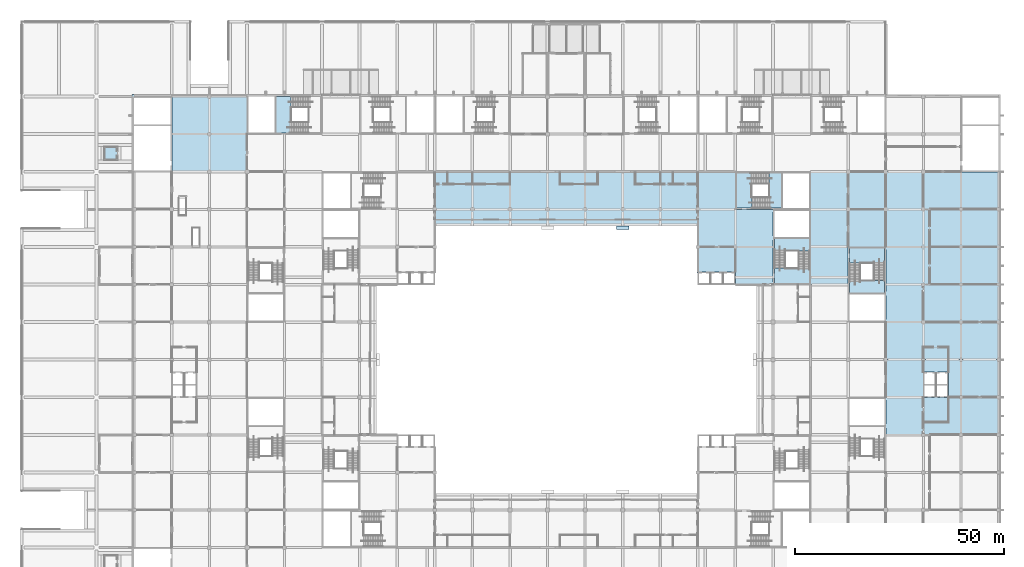
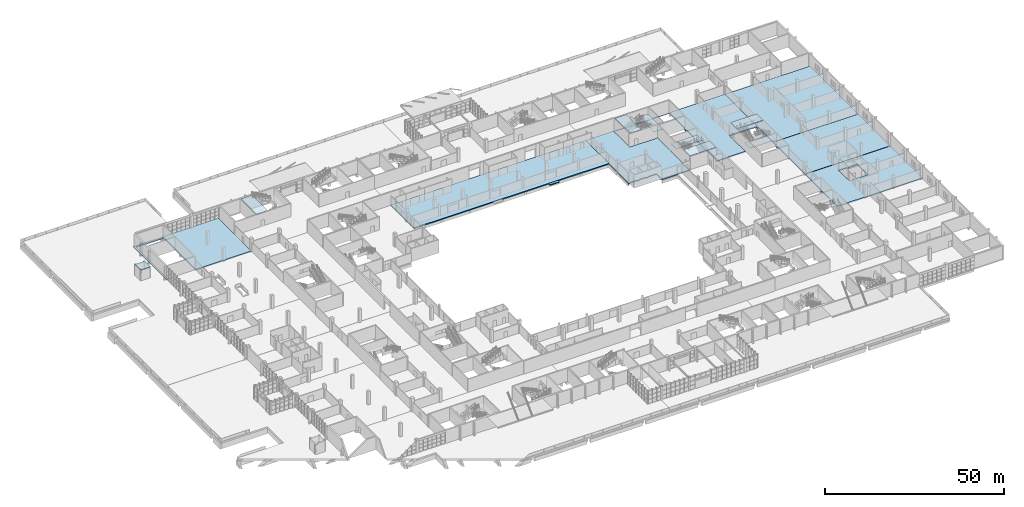
# One storey, part 86 of 168: 15 slabs, 4 elements without a shape of their own.
"""IFC4 building model written with IfcOpenShell, lengths in metres."""

from ifc_helpers import new_model, si_unit, direction, frame, origin, place, context, subcontext, project, spatial, polyline, outline, extrude, material, layer, layer_set, type_object, element, aggregate, save


model = new_model("IFC4")

# Units and contexts
model_context = context("Model", 3, precision=1e-05, world=origin(), true_north=direction((0.0, 1.0)))
body_context = subcontext(model_context, "Body", "Model", "MODEL_VIEW")
ifc_project = project(units=[si_unit("LENGTHUNIT", "METRE"), si_unit("AREAUNIT", "SQUARE_METRE"), si_unit("VOLUMEUNIT", "CUBIC_METRE"), si_unit("PLANEANGLEUNIT", "RADIAN"), si_unit("MASSUNIT", "GRAM", prefix="KILO")], contexts=[model_context])

# Site, building, storey
site_placement = place(None, origin())
site = spatial("IfcSite", under=ifc_project, at=site_placement, CompositionType="ELEMENT")
building_placement = place(site_placement, origin())
building = spatial("IfcBuilding", under=site, at=building_placement, Name="Silverbay Arena", CompositionType="ELEMENT")
storey_placement = place(building_placement, frame((0.0, 0.0, 7.0)))
storey = spatial("IfcBuildingStorey", under=building, at=storey_placement, Name="L01", CompositionType="ELEMENT", Elevation=7.0)

# Slabs
ifc_material_1 = material(Name="Aluminium and glass", Category="aluminium")
ifc_layer_1 = layer(ifc_material_1, 0.199951171875)
ifc_layer_set_1 = layer_set([ifc_layer_1], Name="Aluminium and glass")
slab_type_1 = type_object("IfcSlabType", Name="Lift shaft roof 200", PredefinedType="ROOF", material=ifc_layer_set_1)
slab_1_placement = place(storey_placement, frame((0.0, 0.0, 3.60009765625)))
element("IfcSlab", 1, at=slab_1_placement, inside=storey, type_object=slab_type_1, Name="Lift shaft roof LB-D2", PredefinedType="ROOF", context=body_context, shape_type="SweptSolid", body=[
    extrude(outline(polyline([(19.800048828125, 128.800048828125), (23.0, 128.800048828125), (23.0, 132.0), (19.800048828125, 132.0), (19.800048828125, 128.800048828125)])), origin(), (0.0, 0.0, 1.0), 0.199951171875),
])
ifc_material_2 = material(Name="Concrete Grade C45", Category="concrete")
ifc_layer_2 = layer(ifc_material_2, 0.35009765625)
ifc_layer_set_2 = layer_set([ifc_layer_2], Name="Concrete Grade C45")
slab_type_2 = type_object("IfcSlabType", Name="RC floor slab 350", PredefinedType="FLOOR", material=ifc_layer_set_2)
slab_2_placement = place(storey_placement, frame((0.0, 0.0, -0.35009765625)))
element("IfcSlab", 2, at=slab_2_placement, inside=storey, type_object=slab_type_2, Name="Floor slab L01 unit 14", PredefinedType="FLOOR", context=body_context, shape_type="SweptSolid", body=[
    extrude(outline(polyline([(207.0, 90.0), (206.699951171875, 90.0), (206.699951171875, 90.60009765625), (207.0, 90.60009765625), (207.0, 96.39990234375), (206.699951171875, 96.39990234375), (206.699951171875, 97.300048828125), (207.0, 97.300048828125), (207.0, 99.0), (234.5, 99.0), (234.5, 81.050048828125), (207.0, 81.050048828125), (207.0, 90.0)])), origin(), (0.0, 0.0, 1.0), 0.35009765625),
])
slab_3_placement = place(storey_placement, frame((0.0, 0.0, -0.35009765625)))
element("IfcSlab", 3, at=slab_3_placement, inside=storey, type_object=slab_type_2, Name="Floor slab L01 unit 14 B", PredefinedType="FLOOR", context=body_context, shape_type="SweptSolid", body=[
    extrude(outline(polyline([(206.699951171875, 65.60009765625), (207.0, 65.60009765625), (207.0, 71.39990234375), (206.699951171875, 71.39990234375), (206.699951171875, 72.0), (207.0, 72.0), (207.0, 81.0), (234.5, 81.0), (234.5, 62.97509765625), (207.0, 62.97509765625), (207.0, 64.699951171875), (206.699951171875, 64.699951171875), (206.699951171875, 65.60009765625)]), holes=[polyline([(219.35009765625, 72.25), (219.35009765625, 72.0), (222.0, 72.0), (222.0, 78.0), (219.35009765625, 78.0), (219.35009765625, 77.75), (218.64990234375, 77.75), (218.64990234375, 78.0), (216.0, 78.0), (216.0, 72.0), (218.64990234375, 72.0), (218.64990234375, 72.25), (219.35009765625, 72.25)])]), origin(), (0.0, 0.0, 1.0), 0.35009765625),
])
slab_4_placement = place(storey_placement, frame((0.0, 0.0, -0.35009765625)))
element("IfcSlab", 4, at=slab_4_placement, inside=storey, type_object=slab_type_2, Name="Floor slab L01 unit 17", PredefinedType="FLOOR", context=body_context, shape_type="SweptSolid", body=[
    extrude(outline(polyline([(162.0, 126.02490234375), (162.0, 113.0), (99.0, 113.0), (99.0, 126.02490234375), (162.0, 126.02490234375)])), origin(), (0.0, 0.0, 1.0), 0.35009765625),
])
slab_5_placement = place(storey_placement, frame((0.0, 0.0, -0.35009765625)))
element("IfcSlab", 5, at=slab_5_placement, inside=storey, type_object=slab_type_2, Name="Floor slab L01 unit 18", PredefinedType="FLOOR", context=body_context, shape_type="SweptSolid", body=[
    extrude(outline(polyline([(180.300048828125, 99.0), (171.0, 99.0), (171.0, 102.0), (168.35009765625, 102.0), (168.35009765625, 101.75), (167.64990234375, 101.75), (167.64990234375, 102.0), (165.35009765625, 102.0), (165.35009765625, 101.75), (164.64990234375, 101.75), (164.64990234375, 102.0), (162.5, 102.0), (162.5, 101.75), (161.75, 101.75), (161.75, 102.0), (162.0, 102.0), (162.0, 126.02490234375), (207.0, 126.02490234375), (207.0, 108.0), (198.0, 108.0), (198.0, 99.0), (188.699951171875, 99.0), (188.699951171875, 99.60009765625), (189.0, 99.60009765625), (189.0, 109.699951171875), (188.699951171875, 109.699951171875), (188.699951171875, 110.60009765625), (189.0, 110.60009765625), (189.0, 116.39990234375), (188.699951171875, 116.39990234375), (188.699951171875, 117.300048828125), (189.0, 117.300048828125), (189.0, 126.0), (182.60009765625, 126.0), (182.60009765625, 125.699951171875), (181.699951171875, 125.699951171875), (181.699951171875, 126.0), (171.0, 126.0), (171.0, 117.0), (180.0, 117.0), (180.0, 117.300048828125), (180.300048828125, 117.300048828125), (180.300048828125, 116.39990234375), (180.0, 116.39990234375), (180.0, 110.60009765625), (180.300048828125, 110.60009765625), (180.300048828125, 109.699951171875), (180.0, 109.699951171875), (180.0, 99.60009765625), (180.300048828125, 99.60009765625), (180.300048828125, 99.0)])), origin(), (0.0, 0.0, 1.0), 0.35009765625),
])
slab_6_placement = place(storey_placement, frame((0.0, 0.0, -0.35009765625)))
element("IfcSlab", 6, at=slab_6_placement, inside=storey, type_object=slab_type_2, Name="Floor slab L01 unit 19", PredefinedType="FLOOR", context=body_context, shape_type="SweptSolid", body=[
    extrude(outline(polyline([(206.699951171875, 108.0), (207.0, 108.0), (207.0, 126.02490234375), (225.0, 126.02490234375), (225.0, 126.0), (234.0, 126.0), (234.0, 126.02490234375), (234.5, 126.02490234375), (234.5, 99.0), (207.0, 99.0), (207.0, 107.39990234375), (206.699951171875, 107.39990234375), (206.699951171875, 108.0)])), origin(), (0.0, 0.0, 1.0), 0.35009765625),
])
slab_7_placement = place(storey_placement, frame((0.0, 0.0, -0.35009765625)))
element("IfcSlab", 7, at=slab_7_placement, inside=storey, type_object=slab_type_2, Name="Floor slab L01 unit 20", PredefinedType="FLOOR", context=body_context, shape_type="SweptSolid", body=[
    extrude(outline(polyline([(26.5, 126.02490234375), (26.5, 144.5), (54.0, 144.5), (54.0, 126.02490234375), (36.0, 126.02490234375), (36.0, 144.0), (27.0, 144.0), (27.0, 126.02490234375), (26.5, 126.02490234375)])), origin(), (0.0, 0.0, 1.0), 0.35009765625),
])

# Stair, slab
ifc_material_3 = material(Name="Concrete Grade C45", Category="concrete")
stair_type = type_object("IfcStairType", Name="Stair 2600 wide 32 risers 140.6 x 300", PredefinedType="HALF_TURN_STAIR", material=ifc_material_3)
stair_1_placement = place(storey_placement, origin())
stair_1 = element("IfcStair", 8, at=stair_1_placement, inside=storey, type_object=stair_type, Name="Stair ST-N5 L01 to L02", PredefinedType="HALF_TURN_STAIR")
ifc_material_4 = material(Name="Concrete Grade C45", Category="concrete")
ifc_layer_3 = layer(ifc_material_4, 0.25)
ifc_layer_set_3 = layer_set([ifc_layer_3], Name="Concrete Grade C45")
slab_type_3 = type_object("IfcSlabType", Name="Stair landing RC 250", PredefinedType="LANDING", material=ifc_layer_set_3)
slab_8_placement = place(storey_placement, frame((0.0, 0.0, 4.25)))
slab_8 = element("IfcSlab", 9, at=slab_8_placement, type_object=slab_type_3, Name="Stair ST-N5 L01 to L02 landing 2", PredefinedType="LANDING", context=body_context, shape_type="SweptSolid", body=[
    extrude(outline(polyline([(61.0, 135.300048828125), (64.60009765625, 135.300048828125), (64.60009765625, 144.0), (61.0, 144.0), (61.0, 135.300048828125)])), origin(), (0.0, 0.0, 1.0), 0.25),
])
aggregate(stair_1, [slab_8])

# Stair, slabs
stair_2_placement = place(storey_placement, origin())
stair_2 = element("IfcStair", 10, at=stair_2_placement, inside=storey, type_object=stair_type, Name="Stair ST-E2 L01 to L02", PredefinedType="HALF_TURN_STAIR")
slab_9_placement = place(storey_placement, frame((0.0, 0.0, 2.0)))
slab_9 = element("IfcSlab", 11, at=slab_9_placement, type_object=slab_type_3, Name="Stair ST-E2 L01 to L02 landing 1", PredefinedType="LANDING", context=body_context, shape_type="SweptSolid", body=[
    extrude(outline(polyline([(198.300048828125, 99.953369140625), (198.300048828125, 97.0), (206.699951171875, 97.0), (206.699951171875, 99.953369140625), (198.300048828125, 99.953369140625)])), origin(), (0.0, 0.0, 1.0), 0.25),
])
slab_10_placement = place(storey_placement, frame((0.0, 0.0, 4.25)))
slab_10 = element("IfcSlab", 12, at=slab_10_placement, type_object=slab_type_3, Name="Stair ST-E2 L01 to L02 landing 2", PredefinedType="LANDING", context=body_context, shape_type="SweptSolid", body=[
    extrude(outline(polyline([(198.300048828125, 107.699951171875), (198.300048828125, 104.10009765625), (206.699951171875, 104.10009765625), (206.699951171875, 107.699951171875), (198.300048828125, 107.699951171875)])), origin(), (0.0, 0.0, 1.0), 0.25),
])
aggregate(stair_2, [slab_9, slab_10])

stair_3_placement = place(storey_placement, origin())
stair_3 = element("IfcStair", 13, at=stair_3_placement, inside=storey, type_object=stair_type, Name="Stair ST-NE1 L01 to L02", PredefinedType="HALF_TURN_STAIR")
slab_11_placement = place(storey_placement, frame((0.0, 0.0, 2.0)))
slab_11 = element("IfcSlab", 14, at=slab_11_placement, type_object=slab_type_3, Name="Stair ST-NE1 L01 to L02 landing 1", PredefinedType="LANDING", context=body_context, shape_type="SweptSolid", body=[
    extrude(outline(polyline([(179.046630859375, 117.300048828125), (182.0, 117.300048828125), (182.0, 125.699951171875), (179.046630859375, 125.699951171875), (179.046630859375, 117.300048828125)])), origin(), (0.0, 0.0, 1.0), 0.25),
])
slab_12_placement = place(storey_placement, frame((0.0, 0.0, 4.25)))
slab_12 = element("IfcSlab", 15, at=slab_12_placement, type_object=slab_type_3, Name="Stair ST-NE1 L01 to L02 landing 2", PredefinedType="LANDING", context=body_context, shape_type="SweptSolid", body=[
    extrude(outline(polyline([(171.300048828125, 117.300048828125), (174.89990234375, 117.300048828125), (174.89990234375, 125.699951171875), (171.300048828125, 125.699951171875), (171.300048828125, 117.300048828125)])), origin(), (0.0, 0.0, 1.0), 0.25),
])
aggregate(stair_3, [slab_11, slab_12])

stair_4_placement = place(storey_placement, origin())
stair_4 = element("IfcStair", 16, at=stair_4_placement, inside=storey, type_object=stair_type, Name="Stair ST-NE2 L01 to L02", PredefinedType="HALF_TURN_STAIR")
slab_13_placement = place(storey_placement, frame((0.0, 0.0, 2.0)))
slab_13 = element("IfcSlab", 17, at=slab_13_placement, type_object=slab_type_3, Name="Stair ST-NE2 L01 to L02 landing 1", PredefinedType="LANDING", context=body_context, shape_type="SweptSolid", body=[
    extrude(outline(polyline([(180.300048828125, 107.046630859375), (180.300048828125, 110.0), (188.699951171875, 110.0), (188.699951171875, 107.046630859375), (180.300048828125, 107.046630859375)])), origin(), (0.0, 0.0, 1.0), 0.25),
])
slab_14_placement = place(storey_placement, frame((0.0, 0.0, 4.25)))
slab_14 = element("IfcSlab", 18, at=slab_14_placement, type_object=slab_type_3, Name="Stair ST-NE2 L01 to L02 landing 2", PredefinedType="LANDING", context=body_context, shape_type="SweptSolid", body=[
    extrude(outline(polyline([(180.300048828125, 99.300048828125), (180.300048828125, 102.89990234375), (188.699951171875, 102.89990234375), (188.699951171875, 99.300048828125), (180.300048828125, 99.300048828125)])), origin(), (0.0, 0.0, 1.0), 0.25),
])
aggregate(stair_4, [slab_13, slab_14])

# Slab
ifc_material_5 = material(Name="Concrete Grade C45", Category="concrete")
ifc_layer_4 = layer(ifc_material_5, 0.300048828125)
ifc_layer_set_4 = layer_set([ifc_layer_4], Name="Concrete Grade C45")
slab_type_4 = type_object("IfcSlabType", Name="Vomitory head slab RC 300", PredefinedType="FLOOR", material=ifc_layer_set_4)
slab_15_placement = place(storey_placement, frame((0.0, 0.0, -0.300048828125)))
element("IfcSlab", 19, at=slab_15_placement, inside=storey, type_object=slab_type_4, Name="Vomitory head slab V06", PredefinedType="FLOOR", context=body_context, shape_type="SweptSolid", body=[
    extrude(outline(polyline([(142.5, 112.199951171875), (145.5, 112.199951171875), (145.5, 113.0), (142.5, 113.0), (142.5, 112.199951171875)])), origin(), (0.0, 0.0, 1.0), 0.300048828125),
])

save(model, "model.ifc")
